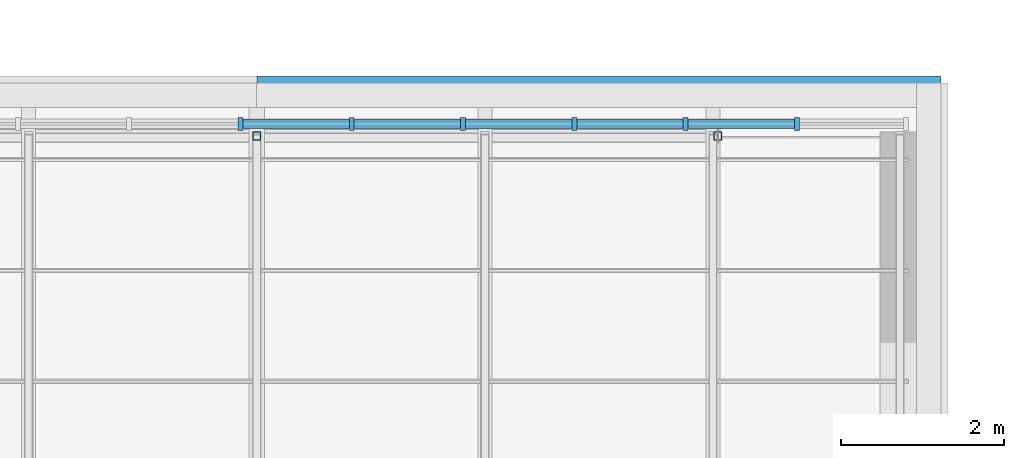
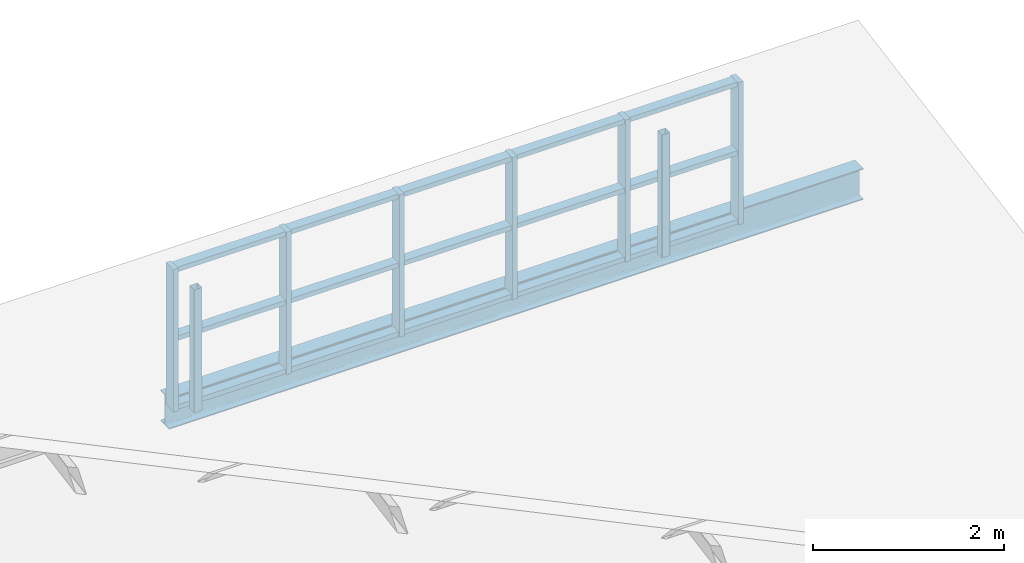
# One storey, part 14 of 33: 23 members, 1 beam, 1 element without a shape of its own.
"""IFC4 building model written with IfcOpenShell, lengths in metres."""

import ifcopenshell
import ifcopenshell.guid

model = None  # the IFC model being written
_history = None  # IfcOwnerHistory: only IFC2X3 demands one
_inside = {}  # id of a spatial element -> (the spatial element, [elements in it])
_under = {}  # id of a project, library or spatial element -> (it, [spatial elements below it])
_declared = {}  # id of a project -> (the project, [libraries it declares])
_typed = {}  # id of a type object -> (the type object, [elements of that type])
_made_of = {}  # id of a material, layer set ... -> (it, [elements and type objects made of it])


def new_model(schema):
    """Start an empty IFC model of exactly this schema.

    Asked for "IFC4X3", IfcOpenShell would pick the latest addendum, in which some entities
    have other attributes; the version numbers below select the first issue.
    IFC2X3 requires an IfcOwnerHistory on every rooted entity: one is made here for all.
    """
    global model, _history
    if schema == "IFC4X3":
        model = ifcopenshell.file(schema_version=(4, 3, 0, 0))
    else:
        model = ifcopenshell.file(schema=schema)
    _inside.clear()
    _under.clear()
    _declared.clear()
    _typed.clear()
    _made_of.clear()
    _history = None
    if model.schema == "IFC2X3":
        org = make("IfcOrganization", Name="unknown")
        user = make(
            "IfcPersonAndOrganization",
            ThePerson=make("IfcPerson", FamilyName="unknown"),
            TheOrganization=org,
        )
        app = make(
            "IfcApplication",
            ApplicationDeveloper=org,
            Version="unknown",
            ApplicationFullName="unknown",
            ApplicationIdentifier="unknown",
        )
        _history = make(
            "IfcOwnerHistory",
            OwningUser=user,
            OwningApplication=app,
            ChangeAction="ADDED",
            CreationDate=0,
        )
    return model


def make(cls, **values):
    """One entity of the class cls with the attributes given. An attribute that is None is left unset."""
    return model.create_entity(
        cls, **{name: value for name, value in values.items() if value is not None}
    )


def rooted(cls, **values):
    """An entity with a GlobalId (a new one), such as an element, a storey or a relation."""
    return make(cls, GlobalId=ifcopenshell.guid.new(), OwnerHistory=_history, **values)


def si_unit(unit_type, name, prefix=None):
    """IfcSIUnit, for example si_unit("LENGTHUNIT", "METRE", prefix="MILLI")."""
    return make("IfcSIUnit", UnitType=unit_type, Prefix=prefix, Name=name)


def assignment(units):
    """IfcUnitAssignment: the units of a project."""
    return None if units is None else make("IfcUnitAssignment", Units=units)


def point(xyz):
    """IfcCartesianPoint."""
    return None if xyz is None else make("IfcCartesianPoint", Coordinates=xyz)


def direction(xyz):
    """IfcDirection."""
    return None if xyz is None else make("IfcDirection", DirectionRatios=xyz)


def frame(location, z_axis=None, x_axis=None):
    """IfcAxis2Placement3D, a coordinate frame: its origin and axes. An axis left out is left unset."""
    return make(
        "IfcAxis2Placement3D",
        Location=point(location),
        Axis=direction(z_axis),
        RefDirection=direction(x_axis),
    )


def frame_2d(location, x_axis=None):
    """IfcAxis2Placement2D, a coordinate frame in the plane: its origin and x axis."""
    return make(
        "IfcAxis2Placement2D", Location=point(location), RefDirection=direction(x_axis)
    )


def origin():
    """The frame at (0, 0, 0) with its axes left unset."""
    return frame((0.0, 0.0, 0.0))


def origin_2d():
    """The frame at (0, 0) in the plane with its x axis left unset."""
    return frame_2d((0.0, 0.0))


def place(relative_to, where):
    """IfcLocalPlacement: puts the frame where relative to a parent placement (None: the world)."""
    return make(
        "IfcLocalPlacement", PlacementRelTo=relative_to, RelativePlacement=where
    )


def context(
    kind, dimensions, precision=None, world=None, true_north=None, identifier=None
):
    """IfcGeometricRepresentationContext, for example the 3D "Model" context."""
    return make(
        "IfcGeometricRepresentationContext",
        ContextIdentifier=identifier,
        ContextType=kind,
        CoordinateSpaceDimension=dimensions,
        Precision=precision,
        WorldCoordinateSystem=world,
        TrueNorth=true_north,
    )


def subcontext(parent, identifier, kind, view, scale=None):
    """IfcGeometricRepresentationSubContext, for example "Body" below "Model"."""
    return make(
        "IfcGeometricRepresentationSubContext",
        ContextIdentifier=identifier,
        ContextType=kind,
        ParentContext=parent,
        TargetScale=scale,
        TargetView=view,
    )


def project(units=None, contexts=None):
    """IfcProject with its units and contexts."""
    return rooted(
        "IfcProject",
        Name="project",
        RepresentationContexts=contexts,
        UnitsInContext=assignment(units),
    )


def spatial(cls, under=None, at=None, **own):
    """A site, building, storey or space (cls), placed at a placement, below another one or the project."""
    s = rooted(cls, ObjectPlacement=at, **own)
    if under is not None:
        _under.setdefault(under.id(), (under, []))[1].append(s)
    return s


def profile(cls, at=None, kind="AREA", **sizes):
    """A parametric profile (cls). Its sizes go by their IFC names, for example OverallWidth=200.0."""
    return make(cls, ProfileType=kind, Position=at, **sizes)


def rectangle(**sizes):
    """IfcRectangleProfileDef."""
    return profile("IfcRectangleProfileDef", **sizes)


def hollow_rectangle(**sizes):
    """IfcRectangleHollowProfileDef."""
    return profile("IfcRectangleHollowProfileDef", **sizes)


def i_section(**sizes):
    """IfcIShapeProfileDef."""
    return profile("IfcIShapeProfileDef", **sizes)


def extrude(swept, where, along, depth):
    """IfcExtrudedAreaSolid: the profile swept, set in the frame where, extruded along a direction by depth."""
    return make(
        "IfcExtrudedAreaSolid",
        SweptArea=swept,
        Position=where,
        ExtrudedDirection=direction(along),
        Depth=depth,
    )


def shape(context_of_items, identifier, shape_type, items):
    """IfcShapeRepresentation: the items that make up one representation, for example the "Body"."""
    return make(
        "IfcShapeRepresentation",
        ContextOfItems=context_of_items,
        RepresentationIdentifier=identifier,
        RepresentationType=shape_type,
        Items=items,
    )


def material(Name=None, Category=None):
    """IfcMaterial."""
    return make("IfcMaterial", Name=Name, Category=Category)


def layer(
    of_material, thickness, ventilated=None, Name=None, Category=None, Priority=None
):
    """IfcMaterialLayer: one layer of a wall or slab, of a material (None: an air gap)."""
    return make(
        "IfcMaterialLayer",
        Material=of_material,
        LayerThickness=thickness,
        IsVentilated=ventilated,
        Name=Name,
        Category=Category,
        Priority=Priority,
    )


def layer_set(layers, Name=None):
    """IfcMaterialLayerSet."""
    return make("IfcMaterialLayerSet", MaterialLayers=layers, LayerSetName=Name)


def material_profile(
    of_material, cross_section, Name=None, Category=None, Priority=None
):
    """IfcMaterialProfile: a cross section and its material."""
    return make(
        "IfcMaterialProfile",
        Name=Name,
        Material=of_material,
        Profile=cross_section,
        Priority=Priority,
        Category=Category,
    )


def profile_set(profiles, Name=None, composite=None):
    """IfcMaterialProfileSet."""
    return make(
        "IfcMaterialProfileSet",
        Name=Name,
        MaterialProfiles=profiles,
        CompositeProfile=composite,
    )


def made_of(thing, what):
    """Note that an element or type object is made of a material, layer set ...; save() writes the relation."""
    if what is not None:
        _made_of.setdefault(what.id(), (what, []))[1].append(thing)
    return thing


def type_object(cls, material=None, **own):
    """A type object (cls), such as IfcWallType, which elements share."""
    return made_of(rooted(cls, **own), material)


def element(
    cls,
    number,
    at=None,
    inside=None,
    cuts=None,
    type_object=None,
    material=None,
    context=None,
    identifier="Body",
    shape_type=None,
    held_by="IfcProductDefinitionShape",
    body=None,
    shapes=None,
    **own,
):
    """One element of the class cls, such as IfcWall. Its Tag is "e" and its number.

    at: its placement. inside: the storey or other place that contains it. cuts: it is an
    opening in that element (IfcRelVoidsElement). A single representation is given by context,
    identifier, shape_type and body (its items); several are given by shapes. held_by: the class
    of the entity that holds the representations. save() writes the other relations.
    """
    e = rooted(cls, Tag="e%d" % number, ObjectPlacement=at, **own)
    if body is not None:
        shapes = [shape(context, identifier, shape_type, body)]
    if shapes is not None:
        e.Representation = make(held_by, Representations=shapes)
    if inside is not None:
        _inside.setdefault(inside.id(), (inside, []))[1].append(e)
    if cuts is not None:
        rooted(
            "IfcRelVoidsElement", RelatingBuildingElement=cuts, RelatedOpeningElement=e
        )
    if type_object is not None:
        _typed.setdefault(type_object.id(), (type_object, []))[1].append(e)
    return made_of(e, material)


def aggregate(whole, parts):
    """IfcRelAggregates: a whole, such as a stair, and the parts it consists of."""
    return rooted("IfcRelAggregates", RelatingObject=whole, RelatedObjects=parts)


def save(model, path):
    """Write the relations noted so far, then the file.

    IfcRelAggregates (storeys below a building ...), IfcRelContainedInSpatialStructure (elements
    in a storey), IfcRelDefinesByType, IfcRelAssociatesMaterial and IfcRelDeclares: one each for
    every whole, place, type object, material and project.
    """
    for whole, parts in _under.values():
        aggregate(whole, parts)
    for where, things in _inside.values():
        rooted(
            "IfcRelContainedInSpatialStructure",
            RelatedElements=things,
            RelatingStructure=where,
        )
    for kind, things in _typed.values():
        rooted("IfcRelDefinesByType", RelatedObjects=things, RelatingType=kind)
    for what, things in _made_of.values():
        rooted("IfcRelAssociatesMaterial", RelatedObjects=things, RelatingMaterial=what)
    for by, libraries in _declared.values():
        rooted("IfcRelDeclares", RelatingContext=by, RelatedDefinitions=libraries)
    model.write(path)


model = new_model("IFC4")

# Units and contexts
model_context = context("Model", 3, precision=1e-05, world=origin(), true_north=direction((0.0, 1.0)))
body_context = subcontext(model_context, "Body", "Model", "MODEL_VIEW")
ifc_project = project(units=[si_unit("LENGTHUNIT", "METRE"), si_unit("AREAUNIT", "SQUARE_METRE"), si_unit("VOLUMEUNIT", "CUBIC_METRE"), si_unit("PLANEANGLEUNIT", "RADIAN"), si_unit("MASSUNIT", "GRAM", prefix="KILO")], contexts=[model_context])

# Site, building, storey
site_placement = place(None, origin())
site = spatial("IfcSite", under=ifc_project, at=site_placement, CompositionType="ELEMENT")
building_placement = place(site_placement, origin())
building = spatial("IfcBuilding", under=site, at=building_placement, Name="Ardhachandra Cancer Care Centre", CompositionType="ELEMENT")
storey_placement = place(building_placement, frame((0.0, 0.0, 27.0)))
storey = spatial("IfcBuildingStorey", under=building, at=storey_placement, Name="Roof", CompositionType="ELEMENT", Elevation=27.0)

# Beam
ifc_material_1 = material(Name="Steel E350 (IS 2062)", Category="steel")
ifc_material_profile_1 = material_profile(ifc_material_1, i_section(OverallWidth=0.179931640625, OverallDepth=0.39990234375, WebThickness=0.008544921875, FlangeThickness=0.013427734375, FilletRadius=0.02099609375, at=origin_2d()), Name="NPB 400x180x66.30")
ifc_profile_set_1 = profile_set([ifc_material_profile_1], Name="Steel E350 (IS 2062)")
beam_type = type_object("IfcBeamType", Name="Beam NPB 400x180x66.30", PredefinedType="BEAM", material=ifc_profile_set_1)
beam_placement = place(storey_placement, frame((136.800048828125, 105.0, -0.39990234375), z_axis=(1.0, 0.0, 0.0), x_axis=(0.0, 1.0, 0.0)))
element("IfcBeam", 1, at=beam_placement, inside=storey, type_object=beam_type, Name="Edge girder M16-M17", PredefinedType="BEAM", context=body_context, shape_type="SweptSolid", body=[
    extrude(i_section(OverallWidth=0.179931640625, OverallDepth=0.39990234375, WebThickness=0.008544921875, FlangeThickness=0.013427734375, FilletRadius=0.02099609375, at=origin_2d()), origin(), (0.0, 0.0, 1.0), 8.39990234375),
])

# Curtain wall, members
ifc_material_2 = material(Name="Aluminium extrusion", Category="aluminium")
ifc_layer = layer(ifc_material_2, 0.14990234375)
ifc_layer_set = layer_set([ifc_layer], Name="Aluminium extrusion")
curtain_wall_type = type_object("IfcCurtainWallType", Name="Curtain wall run", PredefinedType="NOTDEFINED", material=ifc_layer_set)
curtain_wall_placement = place(storey_placement, origin())
curtain_wall = element("IfcCurtainWall", 2, at=curtain_wall_placement, inside=storey, type_object=curtain_wall_type, Name="Curtain wall Roof n/0128400_0104500", PredefinedType="NOTDEFINED")
ifc_material_3 = material(Name="Aluminium extrusion", Category="aluminium")
ifc_material_profile_2 = material_profile(ifc_material_3, rectangle(XDim=0.159912109375, YDim=0.06005859375, at=origin_2d()), Name="Curtain wall mullion 60 x 160")
ifc_profile_set_2 = profile_set([ifc_material_profile_2], Name="Aluminium extrusion")
member_type_1 = type_object("IfcMemberType", Name="Curtain wall mullion 60 x 160", PredefinedType="MULLION", material=ifc_profile_set_2)
member_1_placement = place(storey_placement, frame((136.60009765625, 104.5, 0.0), z_axis=(0.0, 0.0, 1.0), x_axis=(0.0, 1.0, 0.0)))
member_1 = element("IfcMember", 3, at=member_1_placement, type_object=member_type_1, Name="CW mullion 7", PredefinedType="MULLION", context=body_context, shape_type="SweptSolid", body=[
    extrude(rectangle(XDim=0.159912109375, YDim=0.06005859375, at=origin_2d()), origin(), (0.0, 0.0, 1.0), 1.820068359375),
])
member_2_placement = place(storey_placement, frame((137.966552734375, 104.5, 0.0), z_axis=(0.0, 0.0, 1.0), x_axis=(0.0, 1.0, 0.0)))
member_2 = element("IfcMember", 4, at=member_2_placement, type_object=member_type_1, Name="CW mullion 8", PredefinedType="MULLION", context=body_context, shape_type="SweptSolid", body=[
    extrude(rectangle(XDim=0.159912109375, YDim=0.06005859375, at=origin_2d()), origin(), (0.0, 0.0, 1.0), 1.820068359375),
])
member_3_placement = place(storey_placement, frame((139.333251953125, 104.5, 0.0), z_axis=(0.0, 0.0, 1.0), x_axis=(0.0, 1.0, 0.0)))
member_3 = element("IfcMember", 5, at=member_3_placement, type_object=member_type_1, Name="CW mullion 9", PredefinedType="MULLION", context=body_context, shape_type="SweptSolid", body=[
    extrude(rectangle(XDim=0.159912109375, YDim=0.06005859375, at=origin_2d()), origin(), (0.0, 0.0, 1.0), 1.820068359375),
])
member_4_placement = place(storey_placement, frame((140.699951171875, 104.5, 0.0), z_axis=(0.0, 0.0, 1.0), x_axis=(0.0, 1.0, 0.0)))
member_4 = element("IfcMember", 6, at=member_4_placement, type_object=member_type_1, Name="CW mullion 10", PredefinedType="MULLION", context=body_context, shape_type="SweptSolid", body=[
    extrude(rectangle(XDim=0.159912109375, YDim=0.06005859375, at=origin_2d()), origin(), (0.0, 0.0, 1.0), 1.820068359375),
])
member_5_placement = place(storey_placement, frame((142.066650390625, 104.5, 0.0), z_axis=(0.0, 0.0, 1.0), x_axis=(0.0, 1.0, 0.0)))
member_5 = element("IfcMember", 7, at=member_5_placement, type_object=member_type_1, Name="CW mullion 11", PredefinedType="MULLION", context=body_context, shape_type="SweptSolid", body=[
    extrude(rectangle(XDim=0.159912109375, YDim=0.06005859375, at=origin_2d()), origin(), (0.0, 0.0, 1.0), 1.820068359375),
])
member_6_placement = place(storey_placement, frame((143.433349609375, 104.5, 0.0), z_axis=(0.0, 0.0, 1.0), x_axis=(0.0, 1.0, 0.0)))
member_6 = element("IfcMember", 8, at=member_6_placement, type_object=member_type_1, Name="CW mullion 12", PredefinedType="MULLION", context=body_context, shape_type="SweptSolid", body=[
    extrude(rectangle(XDim=0.159912109375, YDim=0.06005859375, at=origin_2d()), origin(), (0.0, 0.0, 1.0), 1.820068359375),
])
ifc_material_4 = material(Name="Aluminium extrusion", Category="aluminium")
ifc_material_profile_3 = material_profile(ifc_material_4, rectangle(XDim=0.1201171875, YDim=0.06005859375, at=origin_2d()), Name="Curtain wall transom 60 x 120")
ifc_profile_set_3 = profile_set([ifc_material_profile_3], Name="Aluminium extrusion")
member_type_2 = type_object("IfcMemberType", Name="Curtain wall transom 60 x 120", PredefinedType="USERDEFINED", material=ifc_profile_set_3)
member_7_placement = place(storey_placement, frame((136.6298828125, 104.5, 0.030029296875), z_axis=(1.0, 0.0, 0.0), x_axis=(0.0, 1.0, 0.0)))
member_7 = element("IfcMember", 9, at=member_7_placement, type_object=member_type_2, Name="CW transom 7.1", ObjectType="TRANSOM", PredefinedType="USERDEFINED", context=body_context, shape_type="SweptSolid", body=[
    extrude(rectangle(XDim=0.1201171875, YDim=0.06005859375, at=origin_2d()), origin(), (0.0, 0.0, 1.0), 1.306884765625),
])
member_8_placement = place(storey_placement, frame((136.6298828125, 104.5, 0.909912109375), z_axis=(1.0, 0.0, 0.0), x_axis=(0.0, 1.0, 0.0)))
member_8 = element("IfcMember", 10, at=member_8_placement, type_object=member_type_2, Name="CW transom 7.2", ObjectType="TRANSOM", PredefinedType="USERDEFINED", context=body_context, shape_type="SweptSolid", body=[
    extrude(rectangle(XDim=0.1201171875, YDim=0.06005859375, at=origin_2d()), origin(), (0.0, 0.0, 1.0), 1.306884765625),
])
member_9_placement = place(storey_placement, frame((136.6298828125, 104.5, 1.7900390625), z_axis=(1.0, 0.0, 0.0), x_axis=(0.0, 1.0, 0.0)))
member_9 = element("IfcMember", 11, at=member_9_placement, type_object=member_type_2, Name="CW transom 7.3", ObjectType="TRANSOM", PredefinedType="USERDEFINED", context=body_context, shape_type="SweptSolid", body=[
    extrude(rectangle(XDim=0.1201171875, YDim=0.06005859375, at=origin_2d()), origin(), (0.0, 0.0, 1.0), 1.306884765625),
])
member_10_placement = place(storey_placement, frame((137.99658203125, 104.5, 0.030029296875), z_axis=(1.0, 0.0, 0.0), x_axis=(0.0, 1.0, 0.0)))
member_10 = element("IfcMember", 12, at=member_10_placement, type_object=member_type_2, Name="CW transom 8.1", ObjectType="TRANSOM", PredefinedType="USERDEFINED", context=body_context, shape_type="SweptSolid", body=[
    extrude(rectangle(XDim=0.1201171875, YDim=0.06005859375, at=origin_2d()), origin(), (0.0, 0.0, 1.0), 1.306640625),
])
member_11_placement = place(storey_placement, frame((137.99658203125, 104.5, 0.909912109375), z_axis=(1.0, 0.0, 0.0), x_axis=(0.0, 1.0, 0.0)))
member_11 = element("IfcMember", 13, at=member_11_placement, type_object=member_type_2, Name="CW transom 8.2", ObjectType="TRANSOM", PredefinedType="USERDEFINED", context=body_context, shape_type="SweptSolid", body=[
    extrude(rectangle(XDim=0.1201171875, YDim=0.06005859375, at=origin_2d()), origin(), (0.0, 0.0, 1.0), 1.306640625),
])
member_12_placement = place(storey_placement, frame((137.99658203125, 104.5, 1.7900390625), z_axis=(1.0, 0.0, 0.0), x_axis=(0.0, 1.0, 0.0)))
member_12 = element("IfcMember", 14, at=member_12_placement, type_object=member_type_2, Name="CW transom 8.3", ObjectType="TRANSOM", PredefinedType="USERDEFINED", context=body_context, shape_type="SweptSolid", body=[
    extrude(rectangle(XDim=0.1201171875, YDim=0.06005859375, at=origin_2d()), origin(), (0.0, 0.0, 1.0), 1.306640625),
])
member_13_placement = place(storey_placement, frame((139.36328125, 104.5, 0.030029296875), z_axis=(1.0, 0.0, 0.0), x_axis=(0.0, 1.0, 0.0)))
member_13 = element("IfcMember", 15, at=member_13_placement, type_object=member_type_2, Name="CW transom 9.1", ObjectType="TRANSOM", PredefinedType="USERDEFINED", context=body_context, shape_type="SweptSolid", body=[
    extrude(rectangle(XDim=0.1201171875, YDim=0.06005859375, at=origin_2d()), origin(), (0.0, 0.0, 1.0), 1.306640625),
])
member_14_placement = place(storey_placement, frame((139.36328125, 104.5, 0.909912109375), z_axis=(1.0, 0.0, 0.0), x_axis=(0.0, 1.0, 0.0)))
member_14 = element("IfcMember", 16, at=member_14_placement, type_object=member_type_2, Name="CW transom 9.2", ObjectType="TRANSOM", PredefinedType="USERDEFINED", context=body_context, shape_type="SweptSolid", body=[
    extrude(rectangle(XDim=0.1201171875, YDim=0.06005859375, at=origin_2d()), origin(), (0.0, 0.0, 1.0), 1.306640625),
])
member_15_placement = place(storey_placement, frame((139.36328125, 104.5, 1.7900390625), z_axis=(1.0, 0.0, 0.0), x_axis=(0.0, 1.0, 0.0)))
member_15 = element("IfcMember", 17, at=member_15_placement, type_object=member_type_2, Name="CW transom 9.3", ObjectType="TRANSOM", PredefinedType="USERDEFINED", context=body_context, shape_type="SweptSolid", body=[
    extrude(rectangle(XDim=0.1201171875, YDim=0.06005859375, at=origin_2d()), origin(), (0.0, 0.0, 1.0), 1.306640625),
])
member_16_placement = place(storey_placement, frame((140.72998046875, 104.5, 0.030029296875), z_axis=(1.0, 0.0, 0.0), x_axis=(0.0, 1.0, 0.0)))
member_16 = element("IfcMember", 18, at=member_16_placement, type_object=member_type_2, Name="CW transom 10.1", ObjectType="TRANSOM", PredefinedType="USERDEFINED", context=body_context, shape_type="SweptSolid", body=[
    extrude(rectangle(XDim=0.1201171875, YDim=0.06005859375, at=origin_2d()), origin(), (0.0, 0.0, 1.0), 1.306640625),
])
member_17_placement = place(storey_placement, frame((140.72998046875, 104.5, 0.909912109375), z_axis=(1.0, 0.0, 0.0), x_axis=(0.0, 1.0, 0.0)))
member_17 = element("IfcMember", 19, at=member_17_placement, type_object=member_type_2, Name="CW transom 10.2", ObjectType="TRANSOM", PredefinedType="USERDEFINED", context=body_context, shape_type="SweptSolid", body=[
    extrude(rectangle(XDim=0.1201171875, YDim=0.06005859375, at=origin_2d()), origin(), (0.0, 0.0, 1.0), 1.306640625),
])
member_18_placement = place(storey_placement, frame((140.72998046875, 104.5, 1.7900390625), z_axis=(1.0, 0.0, 0.0), x_axis=(0.0, 1.0, 0.0)))
member_18 = element("IfcMember", 20, at=member_18_placement, type_object=member_type_2, Name="CW transom 10.3", ObjectType="TRANSOM", PredefinedType="USERDEFINED", context=body_context, shape_type="SweptSolid", body=[
    extrude(rectangle(XDim=0.1201171875, YDim=0.06005859375, at=origin_2d()), origin(), (0.0, 0.0, 1.0), 1.306640625),
])
member_19_placement = place(storey_placement, frame((142.0966796875, 104.5, 0.030029296875), z_axis=(1.0, 0.0, 0.0), x_axis=(0.0, 1.0, 0.0)))
member_19 = element("IfcMember", 21, at=member_19_placement, type_object=member_type_2, Name="CW transom 11.1", ObjectType="TRANSOM", PredefinedType="USERDEFINED", context=body_context, shape_type="SweptSolid", body=[
    extrude(rectangle(XDim=0.1201171875, YDim=0.06005859375, at=origin_2d()), origin(), (0.0, 0.0, 1.0), 1.306640625),
])
member_20_placement = place(storey_placement, frame((142.0966796875, 104.5, 0.909912109375), z_axis=(1.0, 0.0, 0.0), x_axis=(0.0, 1.0, 0.0)))
member_20 = element("IfcMember", 22, at=member_20_placement, type_object=member_type_2, Name="CW transom 11.2", ObjectType="TRANSOM", PredefinedType="USERDEFINED", context=body_context, shape_type="SweptSolid", body=[
    extrude(rectangle(XDim=0.1201171875, YDim=0.06005859375, at=origin_2d()), origin(), (0.0, 0.0, 1.0), 1.306640625),
])
member_21_placement = place(storey_placement, frame((142.0966796875, 104.5, 1.7900390625), z_axis=(1.0, 0.0, 0.0), x_axis=(0.0, 1.0, 0.0)))
member_21 = element("IfcMember", 23, at=member_21_placement, type_object=member_type_2, Name="CW transom 11.3", ObjectType="TRANSOM", PredefinedType="USERDEFINED", context=body_context, shape_type="SweptSolid", body=[
    extrude(rectangle(XDim=0.1201171875, YDim=0.06005859375, at=origin_2d()), origin(), (0.0, 0.0, 1.0), 1.306640625),
])
aggregate(curtain_wall, [member_1, member_2, member_3, member_4, member_5, member_6, member_7, member_8, member_9, member_10, member_11, member_12, member_13, member_14, member_15, member_16, member_17, member_18, member_19, member_20, member_21])

# Members
ifc_material_5 = material(Name="Steel E350 (IS 2062)", Category="steel")
ifc_material_profile_4 = material_profile(ifc_material_5, hollow_rectangle(XDim=0.10009765625, YDim=0.10009765625, WallThickness=0.0048828125, InnerFilletRadius=0.0048828125, OuterFilletRadius=0.010009765625, at=origin_2d()), Name="SHS 100x100x5.0")
ifc_profile_set_4 = profile_set([ifc_material_profile_4], Name="Steel E350 (IS 2062)")
member_type_3 = type_object("IfcMemberType", Name="Sawtooth ridge post SHS 100x100x5.0", PredefinedType="POST", material=ifc_profile_set_4)
for number, where, z_axis, x_axis, name in (
    (24, (136.800048828125, 104.35009765625, 0.0), (0.0, 0.0, 1.0), (1.0, 0.0, 0.0), "Ridge post ST3a.2"),
    (25, (142.4599609375, 104.35009765625, 0.0), (0.0, 0.0, 1.0), (1.0, 0.0, 0.0), "Ridge post ST3a.3"),
):
    element("IfcMember", number, at=place(storey_placement, frame(where, z_axis=z_axis, x_axis=x_axis)), inside=storey, type_object=member_type_3, Name=name, PredefinedType="POST", context=body_context, shape_type="SweptSolid", body=[
        extrude(hollow_rectangle(XDim=0.10009765625, YDim=0.10009765625, WallThickness=0.0048828125, InnerFilletRadius=0.0048828125, OuterFilletRadius=0.010009765625, at=origin_2d()), origin(), (0.0, 0.0, 1.0), 1.569091796875),
    ])

save(model, "model.ifc")
